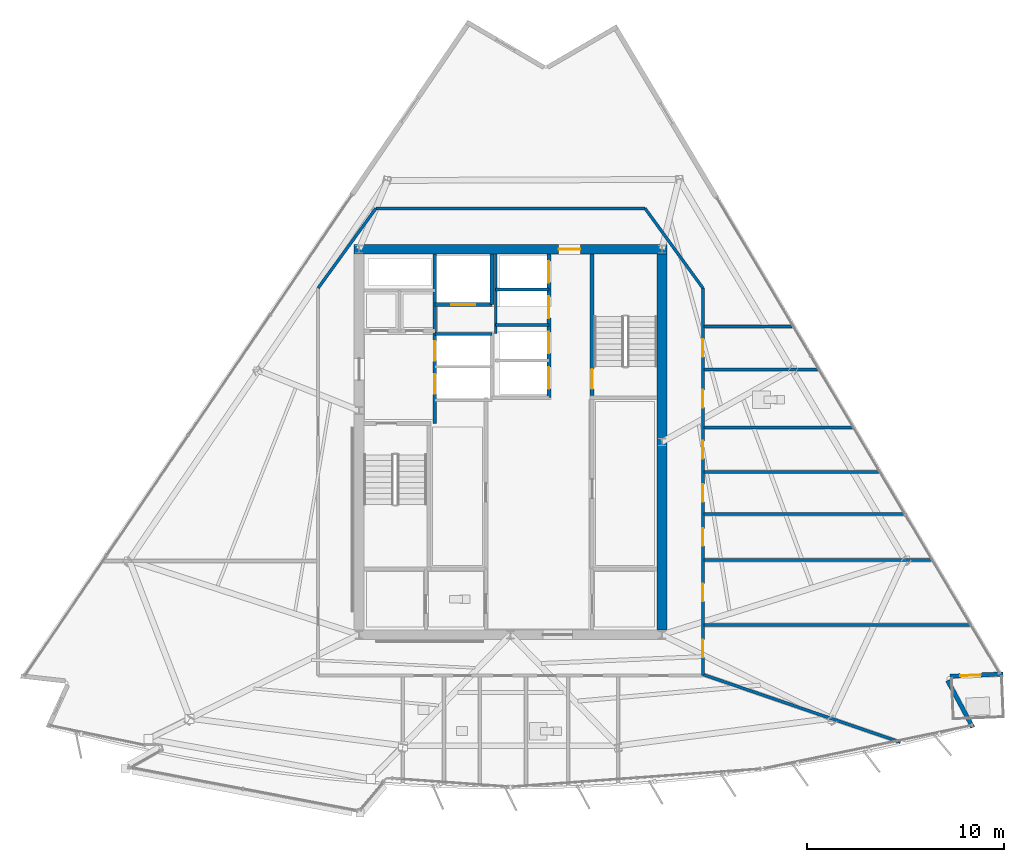
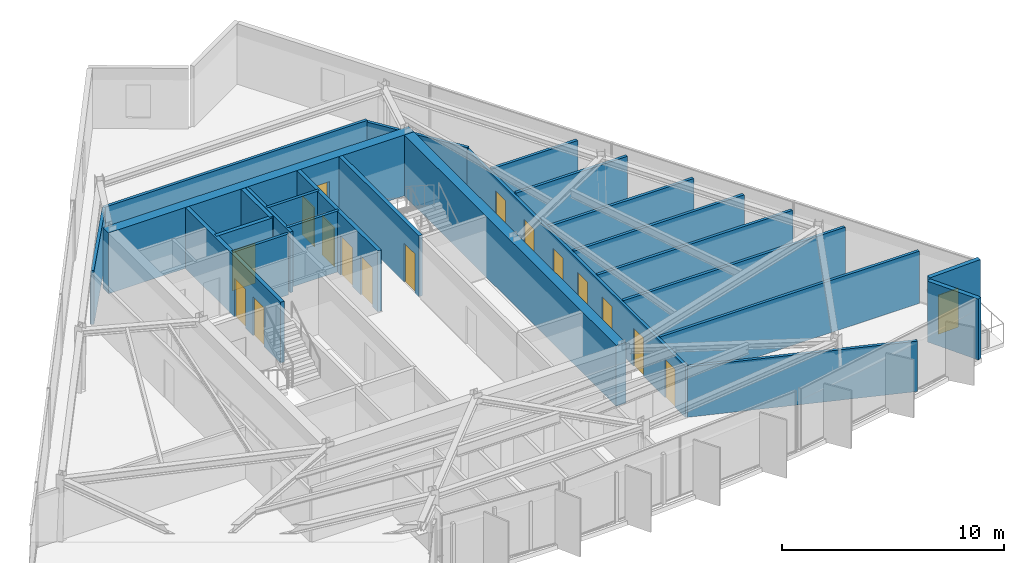
# One storey, part 8 of 14: 25 walls, 17 doors, 17 openings.
"""IFC4 building model written with IfcOpenShell, lengths in metres."""

from ifc_helpers import new_model, si_unit, direction, frame, frame_2d, origin, place, context, subcontext, project, spatial, rectangle, extrude, material, layer, layer_set, type_object, element, fill, save


model = new_model("IFC4")

# Units and contexts
model_context = context("Model", 3, precision=1e-05, world=origin(), true_north=direction((0.0, 1.0)))
body_context = subcontext(model_context, "Body", "Model", "MODEL_VIEW")
ifc_project = project(units=[si_unit("LENGTHUNIT", "METRE"), si_unit("AREAUNIT", "SQUARE_METRE"), si_unit("VOLUMEUNIT", "CUBIC_METRE"), si_unit("PLANEANGLEUNIT", "RADIAN"), si_unit("MASSUNIT", "GRAM", prefix="KILO")], contexts=[model_context])

# Site, building, storey
site_placement = place(None, origin())
site = spatial("IfcSite", under=ifc_project, at=site_placement, CompositionType="ELEMENT")
building_placement = place(site_placement, origin())
building = spatial("IfcBuilding", under=site, at=building_placement, Name="Savorim Split Tower", CompositionType="ELEMENT")
storey_placement = place(building_placement, frame((0.0, 0.0, 227.10009765625)))
storey = spatial("IfcBuildingStorey", under=building, at=storey_placement, Name="L60", CompositionType="ELEMENT", Elevation=227.10009765625)

# Wall, opening, door
ifc_material_1 = material(Name="Concrete C60/75", Category="concrete")
ifc_layer_1 = layer(ifc_material_1, 0.5)
ifc_layer_set_1 = layer_set([ifc_layer_1], Name="WAL-COR-SH500")
wall_type_1 = type_object("IfcWallType", Name="WAL-COR-SH500", PredefinedType="SHEAR", material=ifc_layer_set_1)
wall_1_placement = place(storey_placement, frame((7.949951171875, 10.199951171875, 0.0), z_axis=(0.0, 0.0, 1.0), x_axis=(-1.0, 0.0, 0.0)))
wall_1 = element("IfcWall", 1, at=wall_1_placement, inside=storey, type_object=wall_type_1, Name="L60 Offset Core North Shear Wall", PredefinedType="SHEAR", context=body_context, shape_type="SweptSolid", body=[
    extrude(rectangle(XDim=15.89990234375, YDim=0.5, at=frame_2d((7.949951171875, 0.0))), origin(), (0.0, 0.0, 1.0), 3.349853515625),
])
opening_1_placement = place(wall_1_placement, frame((4.39990234375, 0.0, 0.0)))
opening_1 = element("IfcOpeningElement", 2, at=opening_1_placement, cuts=wall_1, Name="Opening DI-03", PredefinedType="OPENING", context=body_context, shape_type="SweptSolid", body=[
    extrude(rectangle(XDim=1.10009765625, YDim=2.14990234375, at=frame_2d((0.550048828125, 1.074951171875))), frame((0.0, 0.260009765625, 0.0), z_axis=(0.0, -1.0, 0.0), x_axis=(1.0, 0.0, 0.0)), (0.0, 0.0, 1.0), 0.52001953125),
])
ifc_material_2 = material(Name="Timber Fire Door Leaf", Category="wood")
door_type_1 = type_object("IfcDoorType", Name="DOR-FIR-1100", OperationType="NOTDEFINED", PredefinedType="DOOR", material=ifc_material_2)
door_1_placement = place(opening_1_placement, origin())
door_1 = element("IfcDoor", 3, at=door_1_placement, inside=storey, type_object=door_type_1, Name="DOR-L60-COR-NLOB - L60 North Corridor Lobby Fire Door", OperationType="SINGLE_SWING_LEFT", OverallHeight=2.14990234375, OverallWidth=1.10009765625, PredefinedType="DOOR", context=body_context, shape_type="SweptSolid", body=[
    extrude(rectangle(XDim=1.10009765625, YDim=2.14990234375, at=frame_2d((0.550048828125, 1.074951171875))), frame((0.0, 0.02490234375, 0.0), z_axis=(0.0, -1.0, 0.0), x_axis=(1.0, 0.0, 0.0)), (0.0, 0.0, 1.0), 0.050048828125),
])
fill(opening_1, door_1)

# Walls
wall_2_placement = place(storey_placement, frame((7.699951171875, 9.949951171875, 0.0), z_axis=(0.0, 0.0, 1.0), x_axis=(0.0, -1.0, 0.0)))
element("IfcWall", 4, at=wall_2_placement, inside=storey, type_object=wall_type_1, Name="L60 Offset Core East Shear Wall", PredefinedType="SHEAR", context=body_context, shape_type="SweptSolid", body=[
    extrude(rectangle(XDim=19.099853515625, YDim=0.5, at=frame_2d((9.5498046875, 0.0))), origin(), (0.0, 0.0, 1.0), 3.349853515625),
])
ifc_material_3 = material(Name="Precast concrete C40/50", Category="concrete")
ifc_layer_2 = layer(ifc_material_3, 0.219970703125)
ifc_layer_set_2 = layer_set([ifc_layer_2], Name="WAL-EXT-CRN220")
wall_type_2 = type_object("IfcWallType", Name="WAL-EXT-CRN220", PredefinedType="SOLIDWALL", material=ifc_layer_set_2)
wall_3_placement = place(storey_placement, frame((22.22412109375, -11.72705078125, 0.0), z_axis=(0.0, 0.0, 1.0), x_axis=(0.47278184311, -0.881179509989, 0.0)))
element("IfcWall", 5, at=wall_3_placement, inside=storey, type_object=wall_type_2, Name="L60 Notched Corner Facade Wall SE1", PredefinedType="SOLIDWALL", context=body_context, shape_type="SweptSolid", body=[
    extrude(rectangle(XDim=2.70751953125, YDim=0.219970703125, at=frame_2d((1.353759765625, 0.0))), origin(), (0.0, 0.0, 1.0), 3.349853515625),
])

# Wall, opening, door
wall_4_placement = place(storey_placement, frame((25.048095703125, -11.3984375, 0.0), z_axis=(0.0, 0.0, 1.0), x_axis=(-0.999095922254, -0.042512799655, 0.0)))
wall_4 = element("IfcWall", 6, at=wall_4_placement, inside=storey, type_object=wall_type_2, Name="L60 Notched Corner Facade Wall SE", PredefinedType="SOLIDWALL", context=body_context, shape_type="SweptSolid", body=[
    extrude(rectangle(XDim=2.704833984375, YDim=0.219970703125, at=frame_2d((1.3525390625, 0.0))), origin(), (0.0, 0.0, 1.0), 3.349853515625),
])
opening_2_placement = place(wall_4_placement, frame((1.12744140625, 0.0, 0.0)))
opening_2 = element("IfcOpeningElement", 7, at=opening_2_placement, cuts=wall_4, Name="Opening DB-01", PredefinedType="OPENING", context=body_context, shape_type="SweptSolid", body=[
    extrude(rectangle(XDim=1.050048828125, YDim=2.14990234375, at=frame_2d((0.52490234375, 1.074951171875))), frame((0.0, 0.119873046875, 0.0), z_axis=(0.0, -1.0, 0.0), x_axis=(1.0, 0.0, 0.0)), (0.0, 0.0, 1.0), 0.239990234375),
])
ifc_material_4 = material(Name="Charcoal Anodised Aluminium", Category="aluminium")
door_type_2 = type_object("IfcDoorType", Name="DOR-BAL-1050", OperationType="NOTDEFINED", PredefinedType="DOOR", material=ifc_material_4)
door_2_placement = place(opening_2_placement, origin())
door_2 = element("IfcDoor", 8, at=door_2_placement, inside=storey, type_object=door_type_2, Name="DOR-L60-TBAL-SE - L60 Planted Tree Balcony Door SE", OperationType="SINGLE_SWING_LEFT", OverallHeight=2.14990234375, OverallWidth=1.050048828125, PredefinedType="DOOR", context=body_context, shape_type="SweptSolid", body=[
    extrude(rectangle(XDim=1.050048828125, YDim=2.14990234375, at=frame_2d((0.52490234375, 1.074951171875))), frame((0.0, 0.02490234375, 0.0), z_axis=(0.0, -1.0, 0.0), x_axis=(1.0, 0.0, 0.0)), (0.0, 0.0, 1.0), 0.050048828125),
])
fill(opening_2, door_2)

# Wall, openings, doors
ifc_material_5 = material(Name="Concrete C50/60", Category="concrete")
ifc_layer_3 = layer(ifc_material_5, 0.199951171875)
ifc_layer_set_3 = layer_set([ifc_layer_3], Name="WAL-INT-RC200")
wall_type_3 = type_object("IfcWallType", Name="WAL-INT-RC200", PredefinedType="SOLIDWALL", material=ifc_layer_set_3)
wall_5_placement = place(storey_placement, frame((-3.85009765625, 1.35009765625, 0.0), z_axis=(0.0, 0.0, 1.0), x_axis=(0.0, 1.0, 0.0)))
wall_5 = element("IfcWall", 9, at=wall_5_placement, inside=storey, type_object=wall_type_3, Name="L60 Partition W-L60-CR03", PredefinedType="SOLIDWALL", context=body_context, shape_type="SweptSolid", body=[
    extrude(rectangle(XDim=8.594970703125, YDim=0.199951171875, at=frame_2d((4.29736328125, 0.0))), origin(), (0.0, 0.0, 1.0), 3.349853515625),
])
opening_3_placement = place(wall_5_placement, frame((1.5, 0.0, 0.0)))
opening_3 = element("IfcOpeningElement", 10, at=opening_3_placement, cuts=wall_5, Name="Opening LD-FFL", PredefinedType="OPENING", context=body_context, shape_type="SweptSolid", body=[
    extrude(rectangle(XDim=1.0, YDim=2.14990234375, at=frame_2d((0.5, 1.074951171875))), frame((0.0, 0.10986328125, 0.0), z_axis=(0.0, -1.0, 0.0), x_axis=(1.0, 0.0, 0.0)), (0.0, 0.0, 1.0), 0.219970703125),
])
opening_4_placement = place(wall_5_placement, frame((3.179931640625, 0.0, 0.0)))
opening_4 = element("IfcOpeningElement", 11, at=opening_4_placement, cuts=wall_5, Name="Opening LD-FFL", PredefinedType="OPENING", context=body_context, shape_type="SweptSolid", body=[
    extrude(rectangle(XDim=1.0, YDim=2.14990234375, at=frame_2d((0.5, 1.074951171875))), frame((0.0, 0.10986328125, 0.0), z_axis=(0.0, -1.0, 0.0), x_axis=(1.0, 0.0, 0.0)), (0.0, 0.0, 1.0), 0.219970703125),
])
door_type_3 = type_object("IfcDoorType", Name="DOR-SLD-LD1000", OperationType="NOTDEFINED", PredefinedType="DOOR", material=ifc_material_4)
door_3_placement = place(opening_3_placement, origin())
door_3 = element("IfcDoor", 12, at=door_3_placement, inside=storey, type_object=door_type_3, Name="DR-L60-LD-FFL1 - L60 Firefighting Lift FFL-1 Sliding Landing Door", OperationType="DOUBLE_DOOR_SLIDING", OverallHeight=2.14990234375, OverallWidth=1.0, PredefinedType="DOOR", context=body_context, shape_type="SweptSolid", body=[
    extrude(rectangle(XDim=1.0, YDim=2.14990234375, at=frame_2d((0.5, 1.074951171875))), frame((0.0, 0.02490234375, 0.0), z_axis=(0.0, -1.0, 0.0), x_axis=(1.0, 0.0, 0.0)), (0.0, 0.0, 1.0), 0.050048828125),
])
fill(opening_3, door_3)
door_4_placement = place(opening_4_placement, origin())
door_4 = element("IfcDoor", 13, at=door_4_placement, inside=storey, type_object=door_type_3, Name="DR-L60-LD-FFL2 - L60 Firefighting Lift FFL-2 Sliding Landing Door", OperationType="DOUBLE_DOOR_SLIDING", OverallHeight=2.14990234375, OverallWidth=1.0, PredefinedType="DOOR", context=body_context, shape_type="SweptSolid", body=[
    extrude(rectangle(XDim=1.0, YDim=2.14990234375, at=frame_2d((0.5, 1.074951171875))), frame((0.0, 0.02490234375, 0.0), z_axis=(0.0, -1.0, 0.0), x_axis=(1.0, 0.0, 0.0)), (0.0, 0.0, 1.0), 0.050048828125),
])
fill(opening_4, door_4)

# Wall, opening, door
wall_6_placement = place(storey_placement, frame((4.14990234375, 2.75, 0.0), z_axis=(0.0, 0.0, 1.0), x_axis=(0.0, 1.0, 0.0)))
wall_6 = element("IfcWall", 14, at=wall_6_placement, inside=storey, type_object=wall_type_3, Name="L60 Structural Shaft Wall W-L60-CR07", PredefinedType="SOLIDWALL", context=body_context, shape_type="SweptSolid", body=[
    extrude(rectangle(XDim=7.199951171875, YDim=0.199951171875, at=frame_2d((3.60009765625, 0.0))), origin(), (0.0, 0.0, 1.0), 3.349853515625),
])
opening_5_placement = place(wall_6_placement, frame((0.35009765625, 0.0, 0.0)))
opening_5 = element("IfcOpeningElement", 15, at=opening_5_placement, cuts=wall_6, Name="Opening DI-04", PredefinedType="OPENING", context=body_context, shape_type="SweptSolid", body=[
    extrude(rectangle(XDim=1.0, YDim=2.14990234375, at=frame_2d((0.5, 1.074951171875))), frame((0.0, 0.10986328125, 0.0), z_axis=(0.0, -1.0, 0.0), x_axis=(1.0, 0.0, 0.0)), (0.0, 0.0, 1.0), 0.219970703125),
])
door_type_4 = type_object("IfcDoorType", Name="DOR-FIR-1000", OperationType="NOTDEFINED", PredefinedType="DOOR", material=ifc_material_2)
door_5_placement = place(opening_5_placement, origin())
door_5 = element("IfcDoor", 16, at=door_5_placement, inside=storey, type_object=door_type_4, Name="DR-L60-ST2 - L60 Stair ST-2 Enclosure Door", OperationType="SINGLE_SWING_RIGHT", OverallHeight=2.14990234375, OverallWidth=1.0, PredefinedType="DOOR", context=body_context, shape_type="SweptSolid", body=[
    extrude(rectangle(XDim=1.0, YDim=2.14990234375, at=frame_2d((0.5, 1.074951171875))), frame((0.0, 0.02490234375, 0.0), z_axis=(0.0, -1.0, 0.0), x_axis=(1.0, 0.0, 0.0)), (0.0, 0.0, 1.0), 0.050048828125),
])
fill(opening_5, door_5)

wall_7_placement = place(storey_placement, frame((-3.85009765625, 7.3798828125, 0.0), z_axis=(0.0, 0.0, 1.0), x_axis=(1.0, 0.0, 0.0)))
wall_7 = element("IfcWall", 17, at=wall_7_placement, inside=storey, type_object=wall_type_3, Name="L60 Partition W-L60-SVLS", PredefinedType="SOLIDWALL", context=body_context, shape_type="SweptSolid", body=[
    extrude(rectangle(XDim=2.900146484375, YDim=0.199951171875, at=frame_2d((1.4501953125, 0.0))), origin(), (0.0, 0.0, 1.0), 3.349853515625),
])
opening_6_placement = place(wall_7_placement, frame((0.85009765625, 0.0, 0.0)))
opening_6 = element("IfcOpeningElement", 18, at=opening_6_placement, cuts=wall_7, Name="Opening LD-SV", PredefinedType="OPENING", context=body_context, shape_type="SweptSolid", body=[
    extrude(rectangle(XDim=1.199951171875, YDim=2.199951171875, at=frame_2d((0.60009765625, 1.10009765625))), frame((0.0, 0.10986328125, 0.0), z_axis=(0.0, -1.0, 0.0), x_axis=(1.0, 0.0, 0.0)), (0.0, 0.0, 1.0), 0.219970703125),
])
door_type_5 = type_object("IfcDoorType", Name="DOR-SLD-SV1200", OperationType="NOTDEFINED", PredefinedType="DOOR", material=ifc_material_4)
door_6_placement = place(opening_6_placement, origin())
door_6 = element("IfcDoor", 19, at=door_6_placement, inside=storey, type_object=door_type_5, Name="DR-L60-LD-SVL1 - L60 Service Lift SVL-1 Sliding Landing Door", OperationType="DOUBLE_DOOR_SLIDING", OverallHeight=2.199951171875, OverallWidth=1.199951171875, PredefinedType="DOOR", context=body_context, shape_type="SweptSolid", body=[
    extrude(rectangle(XDim=1.199951171875, YDim=2.199951171875, at=frame_2d((0.60009765625, 1.10009765625))), frame((0.0, 0.02490234375, 0.0), z_axis=(0.0, -1.0, 0.0), x_axis=(1.0, 0.0, 0.0)), (0.0, 0.0, 1.0), 0.050048828125),
])
fill(opening_6, door_6)

# Wall
wall_8_placement = place(storey_placement, frame((-0.949951171875, 7.3798828125, 0.0), z_axis=(0.0, 0.0, 1.0), x_axis=(0.0, 1.0, 0.0)))
element("IfcWall", 20, at=wall_8_placement, inside=storey, type_object=wall_type_3, Name="L60 Partition W-L60-SVLE", PredefinedType="SOLIDWALL", context=body_context, shape_type="SweptSolid", body=[
    extrude(rectangle(XDim=2.565185546875, YDim=0.199951171875, at=frame_2d((1.28271484375, 0.0))), origin(), (0.0, 0.0, 1.0), 3.349853515625),
])

# Wall, openings, doors
wall_9_placement = place(storey_placement, frame((1.949951171875, 2.64990234375, 0.0), z_axis=(0.0, 0.0, 1.0), x_axis=(0.0, 1.0, 0.0)))
wall_9 = element("IfcWall", 21, at=wall_9_placement, inside=storey, type_object=wall_type_3, Name="L60 Partition W-L60-B3FRONT", PredefinedType="SOLIDWALL", context=body_context, shape_type="SweptSolid", body=[
    extrude(rectangle(XDim=7.295166015625, YDim=0.199951171875, at=frame_2d((3.6474609375, 0.0))), origin(), (0.0, 0.0, 1.0), 3.349853515625),
])
opening_7_placement = place(wall_9_placement, frame((0.449951171875, 0.0, 0.0)))
opening_7 = element("IfcOpeningElement", 22, at=opening_7_placement, cuts=wall_9, Name="Opening LD-03", PredefinedType="OPENING", context=body_context, shape_type="SweptSolid", body=[
    extrude(rectangle(XDim=1.10009765625, YDim=2.14990234375, at=frame_2d((0.550048828125, 1.074951171875))), frame((0.0, 0.10986328125, 0.0), z_axis=(0.0, -1.0, 0.0), x_axis=(1.0, 0.0, 0.0)), (0.0, 0.0, 1.0), 0.219970703125),
])
opening_8_placement = place(wall_9_placement, frame((2.25, 0.0, 0.0)))
opening_8 = element("IfcOpeningElement", 23, at=opening_8_placement, cuts=wall_9, Name="Opening LD-03", PredefinedType="OPENING", context=body_context, shape_type="SweptSolid", body=[
    extrude(rectangle(XDim=1.10009765625, YDim=2.14990234375, at=frame_2d((0.550048828125, 1.074951171875))), frame((0.0, 0.10986328125, 0.0), z_axis=(0.0, -1.0, 0.0), x_axis=(1.0, 0.0, 0.0)), (0.0, 0.0, 1.0), 0.219970703125),
])
opening_9_placement = place(wall_9_placement, frame((4.050048828125, 0.0, 0.0)))
opening_9 = element("IfcOpeningElement", 24, at=opening_9_placement, cuts=wall_9, Name="Opening LD-03", PredefinedType="OPENING", context=body_context, shape_type="SweptSolid", body=[
    extrude(rectangle(XDim=1.10009765625, YDim=2.14990234375, at=frame_2d((0.550048828125, 1.074951171875))), frame((0.0, 0.10986328125, 0.0), z_axis=(0.0, -1.0, 0.0), x_axis=(1.0, 0.0, 0.0)), (0.0, 0.0, 1.0), 0.219970703125),
])
opening_10_placement = place(wall_9_placement, frame((5.85009765625, 0.0, 0.0)))
opening_10 = element("IfcOpeningElement", 25, at=opening_10_placement, cuts=wall_9, Name="Opening LD-03", PredefinedType="OPENING", context=body_context, shape_type="SweptSolid", body=[
    extrude(rectangle(XDim=1.10009765625, YDim=2.14990234375, at=frame_2d((0.550048828125, 1.074951171875))), frame((0.0, 0.10986328125, 0.0), z_axis=(0.0, -1.0, 0.0), x_axis=(1.0, 0.0, 0.0)), (0.0, 0.0, 1.0), 0.219970703125),
])
door_type_6 = type_object("IfcDoorType", Name="DOR-SLD-LDH1100", OperationType="NOTDEFINED", PredefinedType="DOOR", material=ifc_material_4)
door_7_placement = place(opening_7_placement, origin())
door_7 = element("IfcDoor", 26, at=door_7_placement, inside=storey, type_object=door_type_6, Name="DR-L60-LD-PLH1 - L60 Lift PL-H1 Sliding Landing Door", OperationType="DOUBLE_DOOR_SLIDING", OverallHeight=2.14990234375, OverallWidth=1.10009765625, PredefinedType="DOOR", context=body_context, shape_type="SweptSolid", body=[
    extrude(rectangle(XDim=1.10009765625, YDim=2.14990234375, at=frame_2d((0.550048828125, 1.074951171875))), frame((0.0, 0.02490234375, 0.0), z_axis=(0.0, -1.0, 0.0), x_axis=(1.0, 0.0, 0.0)), (0.0, 0.0, 1.0), 0.050048828125),
])
fill(opening_7, door_7)
door_8_placement = place(opening_8_placement, origin())
door_8 = element("IfcDoor", 27, at=door_8_placement, inside=storey, type_object=door_type_6, Name="DR-L60-LD-PLH2 - L60 Lift PL-H2 Sliding Landing Door", OperationType="DOUBLE_DOOR_SLIDING", OverallHeight=2.14990234375, OverallWidth=1.10009765625, PredefinedType="DOOR", context=body_context, shape_type="SweptSolid", body=[
    extrude(rectangle(XDim=1.10009765625, YDim=2.14990234375, at=frame_2d((0.550048828125, 1.074951171875))), frame((0.0, 0.02490234375, 0.0), z_axis=(0.0, -1.0, 0.0), x_axis=(1.0, 0.0, 0.0)), (0.0, 0.0, 1.0), 0.050048828125),
])
fill(opening_8, door_8)
door_9_placement = place(opening_9_placement, origin())
door_9 = element("IfcDoor", 28, at=door_9_placement, inside=storey, type_object=door_type_6, Name="DR-L60-LD-PLH3 - L60 Lift PL-H3 Sliding Landing Door", OperationType="DOUBLE_DOOR_SLIDING", OverallHeight=2.14990234375, OverallWidth=1.10009765625, PredefinedType="DOOR", context=body_context, shape_type="SweptSolid", body=[
    extrude(rectangle(XDim=1.10009765625, YDim=2.14990234375, at=frame_2d((0.550048828125, 1.074951171875))), frame((0.0, 0.02490234375, 0.0), z_axis=(0.0, -1.0, 0.0), x_axis=(1.0, 0.0, 0.0)), (0.0, 0.0, 1.0), 0.050048828125),
])
fill(opening_9, door_9)
door_10_placement = place(opening_10_placement, origin())
door_10 = element("IfcDoor", 29, at=door_10_placement, inside=storey, type_object=door_type_6, Name="DR-L60-LD-PLH4 - L60 Lift PL-H4 Sliding Landing Door", OperationType="DOUBLE_DOOR_SLIDING", OverallHeight=2.14990234375, OverallWidth=1.10009765625, PredefinedType="DOOR", context=body_context, shape_type="SweptSolid", body=[
    extrude(rectangle(XDim=1.10009765625, YDim=2.14990234375, at=frame_2d((0.550048828125, 1.074951171875))), frame((0.0, 0.02490234375, 0.0), z_axis=(0.0, -1.0, 0.0), x_axis=(1.0, 0.0, 0.0)), (0.0, 0.0, 1.0), 0.050048828125),
])
fill(opening_10, door_10)

# Walls
ifc_material_6 = material(Name="Acoustic Gypsum Partition Board")
ifc_layer_4 = layer(ifc_material_6, 0.14990234375)
ifc_layer_set_4 = layer_set([ifc_layer_4], Name="WAL-PAR-150")
wall_type_4 = type_object("IfcWallType", Name="WAL-PAR-150", PredefinedType="PARTITIONING", material=ifc_layer_set_4)
wall_10_placement = place(storey_placement, frame((-3.85009765625, 5.89990234375, 0.0), z_axis=(0.0, 0.0, 1.0), x_axis=(1.0, 0.0, 0.0)))
element("IfcWall", 30, at=wall_10_placement, inside=storey, type_object=wall_type_4, Name="L60 Partition W-L60-FFLD2", PredefinedType="PARTITIONING", context=body_context, shape_type="SweptSolid", body=[
    extrude(rectangle(XDim=2.900146484375, YDim=0.14990234375, at=frame_2d((1.4501953125, 0.0))), origin(), (0.0, 0.0, 1.0), 3.349853515625),
])
wall_11_placement = place(storey_placement, frame((-0.75, 5.919921875, 0.0), z_axis=(0.0, 0.0, 1.0), x_axis=(0.0, 1.0, 0.0)))
element("IfcWall", 31, at=wall_11_placement, inside=storey, type_object=wall_type_4, Name="L60 Partition W-L60-B3WEST", PredefinedType="PARTITIONING", context=body_context, shape_type="SweptSolid", body=[
    extrude(rectangle(XDim=4.025146484375, YDim=0.14990234375, at=frame_2d((2.0126953125, 0.0))), origin(), (0.0, 0.0, 1.0), 3.349853515625),
])
for number, where, z_axis, x_axis, name in (
    (32, (-0.75, 6.35009765625, 0.0), (0.0, 0.0, 1.0), (1.0, 0.0, 0.0), "L60 Partition W-L60-B3DIV2"),
    (33, (-0.75, 8.14990234375, 0.0), (0.0, 0.0, 1.0), (1.0, 0.0, 0.0), "L60 Partition W-L60-B3DIV3"),
):
    element("IfcWall", number, at=place(storey_placement, frame(where, z_axis=z_axis, x_axis=x_axis)), inside=storey, type_object=wall_type_4, Name=name, PredefinedType="PARTITIONING", context=body_context, shape_type="SweptSolid", body=[
        extrude(rectangle(XDim=2.699951171875, YDim=0.14990234375, at=frame_2d((1.35009765625, 0.0))), origin(), (0.0, 0.0, 1.0), 3.349853515625),
    ])
wall_12_placement = place(storey_placement, frame((-9.780029296875, 8.225830078125, 0.0), z_axis=(0.0, 0.0, 1.0), x_axis=(0.586956386413, 0.809618552436, 0.0)))
element("IfcWall", 34, at=wall_12_placement, inside=storey, type_object=wall_type_4, Name="L60 Partition W-L60-COR-02", PredefinedType="PARTITIONING", context=body_context, shape_type="SweptSolid", body=[
    extrude(rectangle(XDim=5.007568359375, YDim=0.14990234375, at=frame_2d((2.50390625, 0.0))), origin(), (0.0, 0.0, 1.0), 2.974853515625),
])
wall_13_placement = place(storey_placement, frame((-6.8408203125, 12.280029296875, 0.0), z_axis=(0.0, 0.0, 1.0), x_axis=(1.0, 0.0, 0.0)))
element("IfcWall", 35, at=wall_13_placement, inside=storey, type_object=wall_type_4, Name="L60 Partition W-L60-COR-03", PredefinedType="PARTITIONING", context=body_context, shape_type="SweptSolid", body=[
    extrude(rectangle(XDim=13.681640625, YDim=0.14990234375, at=frame_2d((6.8408203125, 0.0))), origin(), (0.0, 0.0, 1.0), 3.0048828125),
])
wall_14_placement = place(storey_placement, frame((6.8408203125, 12.280029296875, 0.0), z_axis=(0.0, 0.0, 1.0), x_axis=(0.586956386413, -0.809618552436, 0.0)))
element("IfcWall", 36, at=wall_14_placement, inside=storey, type_object=wall_type_4, Name="L60 Partition W-L60-COR-04", PredefinedType="PARTITIONING", context=body_context, shape_type="SweptSolid", body=[
    extrude(rectangle(XDim=5.007568359375, YDim=0.14990234375, at=frame_2d((2.50390625, 0.0))), origin(), (0.0, 0.0, 1.0), 2.9248046875),
])

# Wall, openings, doors
wall_15_placement = place(storey_placement, frame((9.780029296875, 8.225830078125, 0.0), z_axis=(0.0, 0.0, 1.0), x_axis=(0.0, -1.0, 0.0)))
wall_15 = element("IfcWall", 37, at=wall_15_placement, inside=storey, type_object=wall_type_4, Name="L60 Partition W-L60-COR-05", PredefinedType="PARTITIONING", context=body_context, shape_type="SweptSolid", body=[
    extrude(rectangle(XDim=19.705810546875, YDim=0.14990234375, at=frame_2d((9.85302734375, 0.0))), origin(), (0.0, 0.0, 1.0), 2.824951171875),
])
opening_11_placement = place(wall_15_placement, frame((17.877685546875, 0.0, 0.0)))
opening_11 = element("IfcOpeningElement", 38, at=opening_11_placement, cuts=wall_15, Name="Opening DI-06", PredefinedType="OPENING", context=body_context, shape_type="SweptSolid", body=[
    extrude(rectangle(XDim=0.89990234375, YDim=2.10009765625, at=frame_2d((0.449951171875, 1.050048828125))), frame((0.0, 0.0849609375, 0.0), z_axis=(0.0, -1.0, 0.0), x_axis=(1.0, 0.0, 0.0)), (0.0, 0.0, 1.0), 0.169921875),
])
opening_12_placement = place(wall_15_placement, frame((15.0283203125, 0.0, 0.0)))
opening_12 = element("IfcOpeningElement", 39, at=opening_12_placement, cuts=wall_15, Name="Opening DI-06", PredefinedType="OPENING", context=body_context, shape_type="SweptSolid", body=[
    extrude(rectangle(XDim=0.89990234375, YDim=2.10009765625, at=frame_2d((0.449951171875, 1.050048828125))), frame((0.0, 0.0849609375, 0.0), z_axis=(0.0, -1.0, 0.0), x_axis=(1.0, 0.0, 0.0)), (0.0, 0.0, 1.0), 0.169921875),
])
opening_13_placement = place(wall_15_placement, frame((12.213134765625, 0.0, 0.0)))
opening_13 = element("IfcOpeningElement", 40, at=opening_13_placement, cuts=wall_15, Name="Opening DI-06", PredefinedType="OPENING", context=body_context, shape_type="SweptSolid", body=[
    extrude(rectangle(XDim=0.89990234375, YDim=2.10009765625, at=frame_2d((0.449951171875, 1.050048828125))), frame((0.0, 0.0849609375, 0.0), z_axis=(0.0, -1.0, 0.0), x_axis=(1.0, 0.0, 0.0)), (0.0, 0.0, 1.0), 0.169921875),
])
opening_14_placement = place(wall_15_placement, frame((9.970703125, 0.0, 0.0)))
opening_14 = element("IfcOpeningElement", 41, at=opening_14_placement, cuts=wall_15, Name="Opening DI-06", PredefinedType="OPENING", context=body_context, shape_type="SweptSolid", body=[
    extrude(rectangle(XDim=0.89990234375, YDim=2.10009765625, at=frame_2d((0.449951171875, 1.050048828125))), frame((0.0, 0.0849609375, 0.0), z_axis=(0.0, -1.0, 0.0), x_axis=(1.0, 0.0, 0.0)), (0.0, 0.0, 1.0), 0.169921875),
])
opening_15_placement = place(wall_15_placement, frame((7.77197265625, 0.0, 0.0)))
opening_15 = element("IfcOpeningElement", 42, at=opening_15_placement, cuts=wall_15, Name="Opening DI-06", PredefinedType="OPENING", context=body_context, shape_type="SweptSolid", body=[
    extrude(rectangle(XDim=0.89990234375, YDim=2.10009765625, at=frame_2d((0.449951171875, 1.050048828125))), frame((0.0, 0.0849609375, 0.0), z_axis=(0.0, -1.0, 0.0), x_axis=(1.0, 0.0, 0.0)), (0.0, 0.0, 1.0), 0.169921875),
])
opening_16_placement = place(wall_15_placement, frame((5.176025390625, 0.0, 0.0)))
opening_16 = element("IfcOpeningElement", 43, at=opening_16_placement, cuts=wall_15, Name="Opening DI-11", PredefinedType="OPENING", context=body_context, shape_type="SweptSolid", body=[
    extrude(rectangle(XDim=0.89990234375, YDim=2.10009765625, at=frame_2d((0.449951171875, 1.050048828125))), frame((0.0, 0.0849609375, 0.0), z_axis=(0.0, -1.0, 0.0), x_axis=(1.0, 0.0, 0.0)), (0.0, 0.0, 1.0), 0.169921875),
])
opening_17_placement = place(wall_15_placement, frame((2.6025390625, 0.0, 0.0)))
opening_17 = element("IfcOpeningElement", 44, at=opening_17_placement, cuts=wall_15, Name="Opening DI-06", PredefinedType="OPENING", context=body_context, shape_type="SweptSolid", body=[
    extrude(rectangle(XDim=0.89990234375, YDim=2.10009765625, at=frame_2d((0.449951171875, 1.050048828125))), frame((0.0, 0.0849609375, 0.0), z_axis=(0.0, -1.0, 0.0), x_axis=(1.0, 0.0, 0.0)), (0.0, 0.0, 1.0), 0.169921875),
])
door_type_7 = type_object("IfcDoorType", Name="DOR-FIR-900", OperationType="NOTDEFINED", PredefinedType="DOOR", material=ifc_material_2)
door_11_placement = place(opening_11_placement, origin())
door_11 = element("IfcDoor", 45, at=door_11_placement, inside=storey, type_object=door_type_7, Name="DR-L60-RM08 - L60 Maker Workshop Entry Door", OperationType="SINGLE_SWING_LEFT", OverallHeight=2.10009765625, OverallWidth=0.89990234375, PredefinedType="DOOR", context=body_context, shape_type="SweptSolid", body=[
    extrude(rectangle(XDim=0.89990234375, YDim=2.10009765625, at=frame_2d((0.449951171875, 1.050048828125))), frame((0.0, 0.02490234375, 0.0), z_axis=(0.0, -1.0, 0.0), x_axis=(1.0, 0.0, 0.0)), (0.0, 0.0, 1.0), 0.050048828125),
])
fill(opening_11, door_11)
door_12_placement = place(opening_12_placement, origin())
door_12 = element("IfcDoor", 46, at=door_12_placement, inside=storey, type_object=door_type_7, Name="DR-L60-RM09 - L60 Co-Living Bedroom Entry Door", OperationType="SINGLE_SWING_RIGHT", OverallHeight=2.10009765625, OverallWidth=0.89990234375, PredefinedType="DOOR", context=body_context, shape_type="SweptSolid", body=[
    extrude(rectangle(XDim=0.89990234375, YDim=2.10009765625, at=frame_2d((0.449951171875, 1.050048828125))), frame((0.0, 0.02490234375, 0.0), z_axis=(0.0, -1.0, 0.0), x_axis=(1.0, 0.0, 0.0)), (0.0, 0.0, 1.0), 0.050048828125),
])
fill(opening_12, door_12)
door_13_placement = place(opening_13_placement, origin())
door_13 = element("IfcDoor", 47, at=door_13_placement, inside=storey, type_object=door_type_7, Name="DR-L60-RM10 - L60 Quiet Study Room Entry Door", OperationType="SINGLE_SWING_LEFT", OverallHeight=2.10009765625, OverallWidth=0.89990234375, PredefinedType="DOOR", context=body_context, shape_type="SweptSolid", body=[
    extrude(rectangle(XDim=0.89990234375, YDim=2.10009765625, at=frame_2d((0.449951171875, 1.050048828125))), frame((0.0, 0.02490234375, 0.0), z_axis=(0.0, -1.0, 0.0), x_axis=(1.0, 0.0, 0.0)), (0.0, 0.0, 1.0), 0.050048828125),
])
fill(opening_13, door_13)
door_14_placement = place(opening_14_placement, origin())
door_14 = element("IfcDoor", 48, at=door_14_placement, inside=storey, type_object=door_type_7, Name="DR-L60-RM11 - L60 Quiet Study Room Entry Door", OperationType="SINGLE_SWING_RIGHT", OverallHeight=2.10009765625, OverallWidth=0.89990234375, PredefinedType="DOOR", context=body_context, shape_type="SweptSolid", body=[
    extrude(rectangle(XDim=0.89990234375, YDim=2.10009765625, at=frame_2d((0.449951171875, 1.050048828125))), frame((0.0, 0.02490234375, 0.0), z_axis=(0.0, -1.0, 0.0), x_axis=(1.0, 0.0, 0.0)), (0.0, 0.0, 1.0), 0.050048828125),
])
fill(opening_14, door_14)
door_15_placement = place(opening_15_placement, origin())
door_15 = element("IfcDoor", 49, at=door_15_placement, inside=storey, type_object=door_type_7, Name="DR-L60-RM12 - L60 Co-Living Bedroom Entry Door", OperationType="SINGLE_SWING_LEFT", OverallHeight=2.10009765625, OverallWidth=0.89990234375, PredefinedType="DOOR", context=body_context, shape_type="SweptSolid", body=[
    extrude(rectangle(XDim=0.89990234375, YDim=2.10009765625, at=frame_2d((0.449951171875, 1.050048828125))), frame((0.0, 0.02490234375, 0.0), z_axis=(0.0, -1.0, 0.0), x_axis=(1.0, 0.0, 0.0)), (0.0, 0.0, 1.0), 0.050048828125),
])
fill(opening_15, door_15)
door_16_placement = place(opening_17_placement, origin())
door_16 = element("IfcDoor", 50, at=door_16_placement, inside=storey, type_object=door_type_7, Name="DR-L60-RM14 - L60 Quiet Study Room Entry Door", OperationType="SINGLE_SWING_LEFT", OverallHeight=2.10009765625, OverallWidth=0.89990234375, PredefinedType="DOOR", context=body_context, shape_type="SweptSolid", body=[
    extrude(rectangle(XDim=0.89990234375, YDim=2.10009765625, at=frame_2d((0.449951171875, 1.050048828125))), frame((0.0, 0.02490234375, 0.0), z_axis=(0.0, -1.0, 0.0), x_axis=(1.0, 0.0, 0.0)), (0.0, 0.0, 1.0), 0.050048828125),
])
fill(opening_17, door_16)
ifc_material_7 = material(Name="Oak Veneer Acoustic Door")
door_type_8 = type_object("IfcDoorType", Name="DOR-WC-900", OperationType="NOTDEFINED", PredefinedType="DOOR", material=ifc_material_7)
door_17_placement = place(opening_16_placement, origin())
door_17 = element("IfcDoor", 51, at=door_17_placement, inside=storey, type_object=door_type_8, Name="DR-L60-RM13 - L60 Shared Bathroom Entry Door", OperationType="SINGLE_SWING_RIGHT", OverallHeight=2.10009765625, OverallWidth=0.89990234375, PredefinedType="DOOR", context=body_context, shape_type="SweptSolid", body=[
    extrude(rectangle(XDim=0.89990234375, YDim=2.10009765625, at=frame_2d((0.449951171875, 1.050048828125))), frame((0.0, 0.02490234375, 0.0), z_axis=(0.0, -1.0, 0.0), x_axis=(1.0, 0.0, 0.0)), (0.0, 0.0, 1.0), 0.050048828125),
])
fill(opening_16, door_17)

# Walls
wall_16_placement = place(storey_placement, frame((9.840087890625, -5.6025390625, 0.0), z_axis=(0.0, 0.0, 1.0), x_axis=(1.0, 0.0, 0.0)))
element("IfcWall", 52, at=wall_16_placement, inside=storey, type_object=wall_type_4, Name="L60 Partition W-L60-PRAD05", PredefinedType="PARTITIONING", context=body_context, shape_type="SweptSolid", body=[
    extrude(rectangle(XDim=11.53857421875, YDim=0.14990234375, at=frame_2d((5.769287109375, 0.0))), origin(), (0.0, 0.0, 1.0), 2.875),
])
wall_17_placement = place(storey_placement, frame((9.840087890625, 4.074462890625, 0.0), z_axis=(0.0, 0.0, 1.0), x_axis=(1.0, 0.0, 0.0)))
element("IfcWall", 53, at=wall_17_placement, inside=storey, type_object=wall_type_4, Name="L60 Partition W-L60-PRAD06", PredefinedType="PARTITIONING", context=body_context, shape_type="SweptSolid", body=[
    extrude(rectangle(XDim=5.784423828125, YDim=0.14990234375, at=frame_2d((2.89208984375, 0.0))), origin(), (0.0, 0.0, 1.0), 2.9248046875),
])
wall_18_placement = place(storey_placement, frame((9.840087890625, -1.1171875, 0.0), z_axis=(0.0, 0.0, 1.0), x_axis=(1.0, 0.0, 0.0)))
element("IfcWall", 54, at=wall_18_placement, inside=storey, type_object=wall_type_4, Name="L60 Partition W-L60-SUB02", PredefinedType="PARTITIONING", context=body_context, shape_type="SweptSolid", body=[
    extrude(rectangle(XDim=8.87158203125, YDim=0.14990234375, at=frame_2d((4.435791015625, 0.0))), origin(), (0.0, 0.0, 1.0), 2.875),
])
wall_19_placement = place(storey_placement, frame((9.840087890625, -8.902099609375, 0.0), z_axis=(0.0, 0.0, 1.0), x_axis=(1.0, 0.0, 0.0)))
element("IfcWall", 55, at=wall_19_placement, inside=storey, type_object=wall_type_4, Name="L60 Partition W-L60-SUB05", PredefinedType="PARTITIONING", context=body_context, shape_type="SweptSolid", body=[
    extrude(rectangle(XDim=13.500732421875, YDim=0.14990234375, at=frame_2d((6.75048828125, 0.0))), origin(), (0.0, 0.0, 1.0), 2.875),
])
wall_20_placement = place(storey_placement, frame((9.840087890625, -3.272216796875, 0.0), z_axis=(0.0, 0.0, 1.0), x_axis=(1.0, 0.0, 0.0)))
element("IfcWall", 56, at=wall_20_placement, inside=storey, type_object=wall_type_4, Name="L60 Partition W-L60-SUB06", PredefinedType="PARTITIONING", context=body_context, shape_type="SweptSolid", body=[
    extrude(rectangle(XDim=10.15283203125, YDim=0.14990234375, at=frame_2d((5.076416015625, 0.0))), origin(), (0.0, 0.0, 1.0), 2.875),
])
wall_21_placement = place(storey_placement, frame((9.840087890625, 1.125244140625, 0.0), z_axis=(0.0, 0.0, 1.0), x_axis=(1.0, 0.0, 0.0)))
element("IfcWall", 57, at=wall_21_placement, inside=storey, type_object=wall_type_4, Name="L60 Partition W-L60-SUB07", PredefinedType="PARTITIONING", context=body_context, shape_type="SweptSolid", body=[
    extrude(rectangle(XDim=7.5380859375, YDim=0.14990234375, at=frame_2d((3.76904296875, 0.0))), origin(), (0.0, 0.0, 1.0), 2.875),
])
wall_22_placement = place(storey_placement, frame((9.840087890625, 6.2724609375, 0.0), z_axis=(0.0, 0.0, 1.0), x_axis=(1.0, 0.0, 0.0)))
element("IfcWall", 58, at=wall_22_placement, inside=storey, type_object=wall_type_4, Name="L60 Partition W-L60-SUB08", PredefinedType="PARTITIONING", context=body_context, shape_type="SweptSolid", body=[
    extrude(rectangle(XDim=4.477294921875, YDim=0.14990234375, at=frame_2d((2.23876953125, 0.0))), origin(), (0.0, 0.0, 1.0), 2.9248046875),
])
wall_23_placement = place(storey_placement, frame((9.833740234375, -11.4404296875, 0.0), z_axis=(0.0, 0.0, 1.0), x_axis=(0.945969051523, -0.324256925232, 0.0)))
element("IfcWall", 59, at=wall_23_placement, inside=storey, type_object=wall_type_4, Name="L60 Partition W-L60-SUB10", PredefinedType="PARTITIONING", context=body_context, shape_type="SweptSolid", body=[
    extrude(rectangle(XDim=10.557373046875, YDim=0.14990234375, at=frame_2d((5.27880859375, 0.0))), origin(), (0.0, 0.0, 1.0), 2.77490234375),
])

save(model, "model.ifc")
